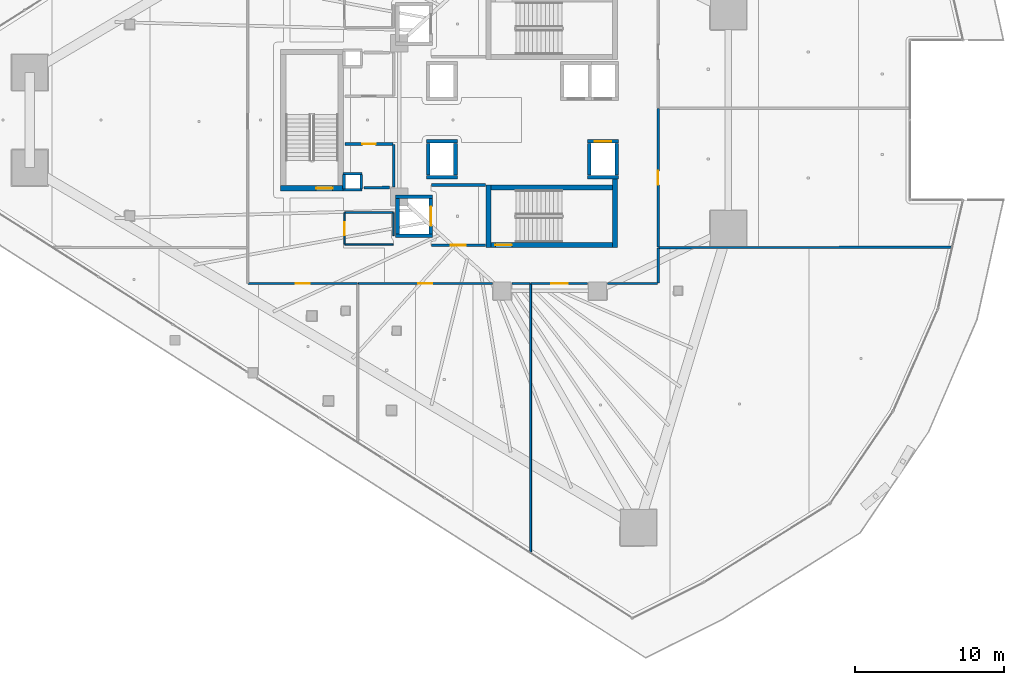
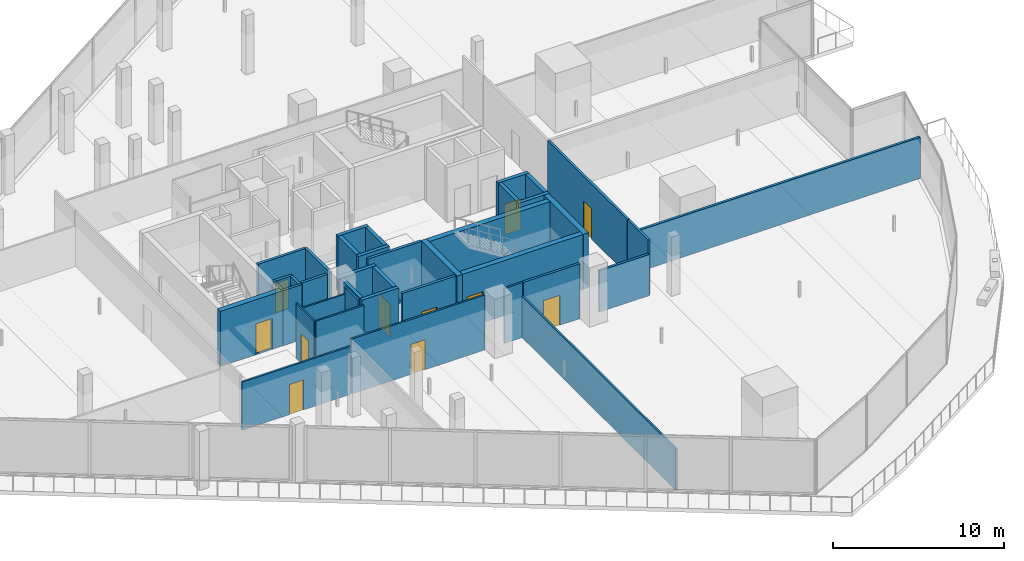
# One storey, part 28 of 44: 39 walls, 11 doors, 11 openings.
"""IFC4 building model written with IfcOpenShell, lengths in metres."""

from ifc_helpers import new_model, si_unit, direction, frame, frame_2d, origin, place, context, subcontext, project, spatial, rectangle, extrude, material, layer, layer_set, type_object, element, fill, save


model = new_model("IFC4")

# Units and contexts
model_context = context("Model", 3, precision=1e-05, world=origin(), true_north=direction((0.0, 1.0)))
body_context = subcontext(model_context, "Body", "Model", "MODEL_VIEW")
ifc_project = project(units=[si_unit("LENGTHUNIT", "METRE"), si_unit("AREAUNIT", "SQUARE_METRE"), si_unit("VOLUMEUNIT", "CUBIC_METRE"), si_unit("PLANEANGLEUNIT", "RADIAN"), si_unit("MASSUNIT", "GRAM", prefix="KILO")], contexts=[model_context])

# Site, building, storey
site_placement = place(None, origin())
site = spatial("IfcSite", under=ifc_project, at=site_placement, CompositionType="ELEMENT")
building_placement = place(site_placement, origin())
building = spatial("IfcBuilding", under=site, at=building_placement, Name="Qorvath Tower", CompositionType="ELEMENT")
storey_placement = place(building_placement, frame((0.0, 0.0, 40.800048828125)))
storey = spatial("IfcBuildingStorey", under=building, at=storey_placement, Name="L08", CompositionType="ELEMENT", Elevation=40.800048828125)

# Walls
ifc_material_1 = material(Name="Gypsum shaftliner on steel studs", Category="steel")
ifc_layer_1 = layer(ifc_material_1, 0.179931640625)
ifc_layer_set_1 = layer_set([ifc_layer_1], Name="FW-LOBBY")
wall_type_1 = type_object("IfcWallType", Name="FW-LOBBY", PredefinedType="PARTITIONING", material=ifc_layer_set_1)
for number, where, z_axis, x_axis, name in (
    (1, (-32.989990234375, -4.675048828125, 0.0), (0.0, 0.0, 1.0), (-1.0, 0.0, 0.0), "MEP Riser Shaft Enclosure Wall S-L08-S"),
    (2, (-34.260009765625, -3.594970703125, 0.0), (0.0, 0.0, 1.0), (1.0, 0.0, 0.0), "MEP Riser Shaft Enclosure Wall S-L08-N"),
):
    element("IfcWall", number, at=place(storey_placement, frame(where, z_axis=z_axis, x_axis=x_axis)), inside=storey, type_object=wall_type_1, Name=name, PredefinedType="PARTITIONING", context=body_context, shape_type="SweptSolid", body=[
        extrude(rectangle(XDim=1.27001953125, YDim=0.179931640625, at=frame_2d((0.635009765625, 0.0))), origin(), (0.0, 0.0, 1.0), 3.919921875),
    ])
for number, where, z_axis, x_axis, name in (
    (3, (-34.205078125, -4.610107421875, 0.0), (0.0, 0.0, 1.0), (0.0, 1.0, 0.0), "MEP Riser Shaft Enclosure Wall S-L08-W"),
    (4, (-33.044921875, -3.659912109375, 0.0), (0.0, 0.0, 1.0), (0.0, -1.0, 0.0), "MEP Riser Shaft Enclosure Wall S-L08-E"),
):
    element("IfcWall", number, at=place(storey_placement, frame(where, z_axis=z_axis, x_axis=x_axis)), inside=storey, type_object=wall_type_1, Name=name, PredefinedType="PARTITIONING", context=body_context, shape_type="SweptSolid", body=[
        extrude(rectangle(XDim=0.9501953125, YDim=0.179931640625, at=frame_2d((0.47509765625, 0.0))), origin(), (0.0, 0.0, 1.0), 3.919921875),
    ])

# Wall, opening, door
wall_1_placement = place(storey_placement, frame((-28.35498046875, -8.39990234375, 0.0), z_axis=(0.0, 0.0, 1.0), x_axis=(1.0, 0.0, 0.0)))
wall_1 = element("IfcWall", 5, at=wall_1_placement, inside=storey, type_object=wall_type_1, Name="Interior Partition IW-T1-L08-003", PredefinedType="PARTITIONING", context=body_context, shape_type="SweptSolid", body=[
    extrude(rectangle(XDim=3.6220703125, YDim=0.179931640625, at=frame_2d((1.81103515625, 0.0))), origin(), (0.0, 0.0, 1.0), 3.919921875),
])
opening_1_placement = place(wall_1_placement, frame((1.31103515625, 0.0, 0.0)))
opening_1 = element("IfcOpeningElement", 6, at=opening_1_placement, cuts=wall_1, Name="Opening D-T1-L08-13", PredefinedType="OPENING", context=body_context, shape_type="SweptSolid", body=[
    extrude(rectangle(XDim=1.0, YDim=2.14990234375, at=frame_2d((0.5, 1.074951171875))), frame((0.0, 0.10009765625, 0.0), z_axis=(0.0, -1.0, 0.0), x_axis=(1.0, 0.0, 0.0)), (0.0, 0.0, 1.0), 0.199951171875),
])
ifc_material_2 = material(Name="Painted galvanised hollow metal", Category="steel")
door_type_1 = type_object("IfcDoorType", Name="FD-60", OperationType="NOTDEFINED", PredefinedType="DOOR", material=ifc_material_2)
door_1_placement = place(opening_1_placement, origin())
door_1 = element("IfcDoor", 7, at=door_1_placement, inside=storey, type_object=door_type_1, Name="Lobby Fire Service Elevator South Door D-T1-L08-13", OperationType="SINGLE_SWING_LEFT", OverallHeight=2.14990234375, OverallWidth=1.0, PredefinedType="DOOR", context=body_context, shape_type="SweptSolid", body=[
    extrude(rectangle(XDim=1.0, YDim=2.14990234375, at=frame_2d((0.5, 1.074951171875))), frame((0.0, 0.02490234375, 0.0), z_axis=(0.0, -1.0, 0.0), x_axis=(1.0, 0.0, 0.0)), (0.0, 0.0, 1.0), 0.050048828125),
])
fill(opening_1, door_1)

# Walls
wall_2_placement = place(storey_placement, frame((-24.73291015625, -4.35009765625, 0.0), z_axis=(0.0, 0.0, 1.0), x_axis=(-1.0, 0.0, 0.0)))
element("IfcWall", 8, at=wall_2_placement, inside=storey, type_object=wall_type_1, Name="Interior Partition IW-T1-L08-004", PredefinedType="PARTITIONING", context=body_context, shape_type="SweptSolid", body=[
    extrude(rectangle(XDim=3.6220703125, YDim=0.179931640625, at=frame_2d((1.81103515625, 0.0))), origin(), (0.0, 0.0, 1.0), 3.919921875),
])
wall_3_placement = place(storey_placement, frame((-32.8798828125, -4.5380859375, 0.0), z_axis=(0.0, 0.0, 1.0), x_axis=(0.9999584918, 0.009111239105, 0.0)))
element("IfcWall", 9, at=wall_3_placement, inside=storey, type_object=wall_type_1, Name="Interior Partition IW-T1-L08-016", PredefinedType="PARTITIONING", context=body_context, shape_type="SweptSolid", body=[
    extrude(rectangle(XDim=1.71484375, YDim=0.179931640625, at=frame_2d((0.857421875, 0.0))), origin(), (0.0, 0.0, 1.0), 3.919921875),
])
wall_4_placement = place(storey_placement, frame((-30.8798828125, -4.485107421875, 0.0), z_axis=(0.0, 0.0, 1.0), x_axis=(0.0, 1.0, 0.0)))
element("IfcWall", 10, at=wall_4_placement, inside=storey, type_object=wall_type_1, Name="Interior Partition IW-T1-L08-017", PredefinedType="PARTITIONING", context=body_context, shape_type="SweptSolid", body=[
    extrude(rectangle(XDim=2.860107421875, YDim=0.179931640625, at=frame_2d((1.43017578125, 0.0))), origin(), (0.0, 0.0, 1.0), 3.919921875),
])

# Wall, opening, door
wall_5_placement = place(storey_placement, frame((-30.90478515625, -1.60009765625, 0.0), z_axis=(0.0, 0.0, 1.0), x_axis=(-1.0, 0.0, 0.0)))
wall_5 = element("IfcWall", 11, at=wall_5_placement, inside=storey, type_object=wall_type_1, Name="Interior Partition IW-T1-L08-018", PredefinedType="PARTITIONING", context=body_context, shape_type="SweptSolid", body=[
    extrude(rectangle(XDim=3.25, YDim=0.179931640625, at=frame_2d((1.625, 0.0))), origin(), (0.0, 0.0, 1.0), 3.919921875),
])
opening_2_placement = place(wall_5_placement, frame((1.18505859375, 0.0, 0.0)))
opening_2 = element("IfcOpeningElement", 12, at=opening_2_placement, cuts=wall_5, Name="Opening D-T1-L08-04", PredefinedType="OPENING", context=body_context, shape_type="SweptSolid", body=[
    extrude(rectangle(XDim=0.8798828125, YDim=2.10009765625, at=frame_2d((0.43994140625, 1.050048828125))), frame((0.0, 0.10009765625, 0.0), z_axis=(0.0, -1.0, 0.0), x_axis=(1.0, 0.0, 0.0)), (0.0, 0.0, 1.0), 0.199951171875),
])
ifc_material_3 = material(Name="Painted galvanised hollow metal", Category="steel")
door_type_2 = type_object("IfcDoorType", Name="FD-60N", OperationType="NOTDEFINED", PredefinedType="DOOR", material=ifc_material_3)
door_2_placement = place(opening_2_placement, origin())
door_2 = element("IfcDoor", 13, at=door_2_placement, inside=storey, type_object=door_type_2, Name="Core housekeeping store L08 Door D-T1-L08-04", OperationType="SINGLE_SWING_RIGHT", OverallHeight=2.10009765625, OverallWidth=0.8798828125, PredefinedType="DOOR", context=body_context, shape_type="SweptSolid", body=[
    extrude(rectangle(XDim=0.8798828125, YDim=2.10009765625, at=frame_2d((0.43994140625, 1.050048828125))), frame((0.0, 0.02490234375, 0.0), z_axis=(0.0, -1.0, 0.0), x_axis=(1.0, 0.0, 0.0)), (0.0, 0.0, 1.0), 0.050048828125),
])
fill(opening_2, door_2)

# Walls
ifc_material_4 = material(Name="Double acoustic gypsum board on steel studs", Category="steel")
ifc_layer_2 = layer(ifc_material_4, 0.159912109375)
ifc_layer_set_2 = layer_set([ifc_layer_2], Name="IW-ACOUSTIC-160")
wall_type_2 = type_object("IfcWallType", Name="IW-ACOUSTIC-160", PredefinedType="PARTITIONING", material=ifc_layer_set_2)
wall_6_placement = place(storey_placement, frame((6.501953125, -8.53466796875, 0.0), z_axis=(0.0, 0.0, 1.0), x_axis=(-0.999999692694, -0.000783971885, 0.0)))
element("IfcWall", 14, at=wall_6_placement, inside=storey, type_object=wall_type_2, Name="Interior Partition IW-T1-L08-032", PredefinedType="PARTITIONING", context=body_context, shape_type="SweptSolid", body=[
    extrude(rectangle(XDim=19.619140625, YDim=0.159912109375, at=frame_2d((9.8095703125, 0.0))), origin(), (0.0, 0.0, 1.0), 2.956787109375),
])
wall_7_placement = place(storey_placement, frame((-13.14208984375, -8.574951171875, 0.0), z_axis=(0.0, 0.0, 1.0), x_axis=(0.0, -1.0, 0.0)))
element("IfcWall", 15, at=wall_7_placement, inside=storey, type_object=wall_type_2, Name="Interior Partition IW-T1-L08-033", PredefinedType="PARTITIONING", context=body_context, shape_type="SweptSolid", body=[
    extrude(rectangle(XDim=2.358154296875, YDim=0.159912109375, at=frame_2d((1.17919921875, 0.0))), origin(), (0.0, 0.0, 1.0), 3.919921875),
])
wall_8_placement = place(storey_placement, frame((-13.1669921875, -10.9580078125, 0.0), z_axis=(0.0, 0.0, 1.0), x_axis=(-1.0, 0.0, 0.0)))
element("IfcWall", 16, at=wall_8_placement, inside=storey, type_object=wall_type_2, Name="Interior Partition IW-T1-L08-034", PredefinedType="PARTITIONING", context=body_context, shape_type="SweptSolid", body=[
    extrude(rectangle(XDim=3.367919921875, YDim=0.159912109375, at=frame_2d((1.68408203125, 0.0))), origin(), (0.0, 0.0, 1.0), 2.956787109375),
])

# Wall, opening, door
wall_9_placement = place(storey_placement, frame((-17.864990234375, -10.9580078125, 0.0), z_axis=(0.0, 0.0, 1.0), x_axis=(-1.0, 0.0, 0.0)))
wall_9 = element("IfcWall", 17, at=wall_9_placement, inside=storey, type_object=wall_type_2, Name="Interior Partition IW-T1-L08-035", PredefinedType="PARTITIONING", context=body_context, shape_type="SweptSolid", body=[
    extrude(rectangle(XDim=3.79736328125, YDim=0.159912109375, at=frame_2d((1.898681640625, 0.0))), origin(), (0.0, 0.0, 1.0), 3.919921875),
])
opening_3_placement = place(wall_9_placement, frame((1.3486328125, 0.0, 0.0)))
opening_3 = element("IfcOpeningElement", 18, at=opening_3_placement, cuts=wall_9, Name="Opening D-T1-L08-08", PredefinedType="OPENING", context=body_context, shape_type="SweptSolid", body=[
    extrude(rectangle(XDim=1.10009765625, YDim=2.14990234375, at=frame_2d((0.550048828125, 1.074951171875))), frame((0.0, 0.08984375, 0.0), z_axis=(0.0, -1.0, 0.0), x_axis=(1.0, 0.0, 0.0)), (0.0, 0.0, 1.0), 0.179931640625),
])
ifc_material_5 = material(Name="Anodised aluminium acoustic framed glass", Category="aluminium")
door_type_3 = type_object("IfcDoorType", Name="D-03", OperationType="NOTDEFINED", PredefinedType="DOOR", material=ifc_material_5)
door_3_placement = place(opening_3_placement, origin())
door_3 = element("IfcDoor", 19, at=door_3_placement, inside=storey, type_object=door_type_3, Name="L08-04 Client Services Office Door D-T1-L08-08", OperationType="SINGLE_SWING_RIGHT", OverallHeight=2.14990234375, OverallWidth=1.10009765625, PredefinedType="DOOR", context=body_context, shape_type="SweptSolid", body=[
    extrude(rectangle(XDim=1.10009765625, YDim=2.14990234375, at=frame_2d((0.550048828125, 1.074951171875))), frame((0.0, 0.02490234375, 0.0), z_axis=(0.0, -1.0, 0.0), x_axis=(1.0, 0.0, 0.0)), (0.0, 0.0, 1.0), 0.050048828125),
])
fill(opening_3, door_3)

wall_10_placement = place(storey_placement, frame((-13.14208984375, 0.766357421875, 0.0), z_axis=(0.0, 0.0, 1.0), x_axis=(0.0, -1.0, 0.0)))
wall_10 = element("IfcWall", 20, at=wall_10_placement, inside=storey, type_object=wall_type_2, Name="Interior Partition IW-T1-L08-037", PredefinedType="PARTITIONING", context=body_context, shape_type="SweptSolid", body=[
    extrude(rectangle(XDim=9.283447265625, YDim=0.159912109375, at=frame_2d((4.6416015625, 0.0))), origin(), (0.0, 0.0, 1.0), 3.919921875),
])
opening_4_placement = place(wall_10_placement, frame((4.166748046875, 0.0, 0.0)))
opening_4 = element("IfcOpeningElement", 21, at=opening_4_placement, cuts=wall_10, Name="Opening D-T1-L08-09", PredefinedType="OPENING", context=body_context, shape_type="SweptSolid", body=[
    extrude(rectangle(XDim=0.949951171875, YDim=2.14990234375, at=frame_2d((0.47509765625, 1.074951171875))), frame((0.0, 0.08984375, 0.0), z_axis=(0.0, -1.0, 0.0), x_axis=(1.0, 0.0, 0.0)), (0.0, 0.0, 1.0), 0.179931640625),
])
ifc_material_6 = material(Name="Solid-core American white oak veneer", Category="wood")
door_type_4 = type_object("IfcDoorType", Name="D-01", OperationType="NOTDEFINED", PredefinedType="DOOR", material=ifc_material_6)
door_4_placement = place(opening_4_placement, origin())
door_4 = element("IfcDoor", 22, at=door_4_placement, inside=storey, type_object=door_type_4, Name="L08-05 Staff Wellness Studio Door D-T1-L08-09", OperationType="SINGLE_SWING_LEFT", OverallHeight=2.14990234375, OverallWidth=0.949951171875, PredefinedType="DOOR", context=body_context, shape_type="SweptSolid", body=[
    extrude(rectangle(XDim=0.949951171875, YDim=2.14990234375, at=frame_2d((0.47509765625, 1.074951171875))), frame((0.0, 0.02490234375, 0.0), z_axis=(0.0, -1.0, 0.0), x_axis=(1.0, 0.0, 0.0)), (0.0, 0.0, 1.0), 0.050048828125),
])
fill(opening_4, door_4)

ifc_material_7 = material(Name="Gypsum board on metal studs with mineral wool", Category="gypsum")
ifc_layer_3 = layer(ifc_material_7, 0.125)
ifc_layer_set_3 = layer_set([ifc_layer_3], Name="IW-PART-125")
wall_type_3 = type_object("IfcWallType", Name="IW-PART-125", PredefinedType="PARTITIONING", material=ifc_layer_set_3)
wall_11_placement = place(storey_placement, frame((-33.3076171875, -10.9580078125, 0.0), z_axis=(0.0, 0.0, 1.0), x_axis=(-1.0, 0.0, 0.0)))
wall_11 = element("IfcWall", 23, at=wall_11_placement, inside=storey, type_object=wall_type_3, Name="Interior Partition IW-T1-L08-026", PredefinedType="PARTITIONING", context=body_context, shape_type="SweptSolid", body=[
    extrude(rectangle(XDim=7.325439453125, YDim=0.125, at=frame_2d((3.66259765625, 0.0))), origin(), (0.0, 0.0, 1.0), 3.432861328125),
])
opening_5_placement = place(wall_11_placement, frame((3.187744140625, 0.0, 0.0)))
opening_5 = element("IfcOpeningElement", 24, at=opening_5_placement, cuts=wall_11, Name="Opening D-T1-L08-06", PredefinedType="OPENING", context=body_context, shape_type="SweptSolid", body=[
    extrude(rectangle(XDim=0.949951171875, YDim=2.14990234375, at=frame_2d((0.47509765625, 1.074951171875))), frame((0.0, 0.072509765625, 0.0), z_axis=(0.0, -1.0, 0.0), x_axis=(1.0, 0.0, 0.0)), (0.0, 0.0, 1.0), 0.14501953125),
])
door_5_placement = place(opening_5_placement, origin())
door_5 = element("IfcDoor", 25, at=door_5_placement, inside=storey, type_object=door_type_4, Name="L08-02 Focus Collaboration Pod Door D-T1-L08-06", OperationType="SINGLE_SWING_RIGHT", OverallHeight=2.14990234375, OverallWidth=0.949951171875, PredefinedType="DOOR", context=body_context, shape_type="SweptSolid", body=[
    extrude(rectangle(XDim=0.949951171875, YDim=2.14990234375, at=frame_2d((0.47509765625, 1.074951171875))), frame((0.0, 0.02490234375, 0.0), z_axis=(0.0, -1.0, 0.0), x_axis=(1.0, 0.0, 0.0)), (0.0, 0.0, 1.0), 0.050048828125),
])
fill(opening_5, door_5)

wall_12_placement = place(storey_placement, frame((-24.264892578125, -10.9580078125, 0.0), z_axis=(0.0, 0.0, 1.0), x_axis=(-1.0, 0.0, 0.0)))
wall_12 = element("IfcWall", 26, at=wall_12_placement, inside=storey, type_object=wall_type_3, Name="Interior Partition IW-T1-L08-029", PredefinedType="PARTITIONING", context=body_context, shape_type="SweptSolid", body=[
    extrude(rectangle(XDim=8.98486328125, YDim=0.125, at=frame_2d((4.492431640625, 0.0))), origin(), (0.0, 0.0, 1.0), 3.919921875),
])
opening_6_placement = place(wall_12_placement, frame((4.017333984375, 0.0, 0.0)))
opening_6 = element("IfcOpeningElement", 27, at=opening_6_placement, cuts=wall_12, Name="Opening D-T1-L08-07", PredefinedType="OPENING", context=body_context, shape_type="SweptSolid", body=[
    extrude(rectangle(XDim=0.949951171875, YDim=2.14990234375, at=frame_2d((0.47509765625, 1.074951171875))), frame((0.0, 0.072509765625, 0.0), z_axis=(0.0, -1.0, 0.0), x_axis=(1.0, 0.0, 0.0)), (0.0, 0.0, 1.0), 0.14501953125),
])
door_6_placement = place(opening_6_placement, origin())
door_6 = element("IfcDoor", 28, at=door_6_placement, inside=storey, type_object=door_type_4, Name="L08-03 Staff Refreshment Pantry and Coffee Bar Door D-T1-L08-07", OperationType="SINGLE_SWING_LEFT", OverallHeight=2.14990234375, OverallWidth=0.949951171875, PredefinedType="DOOR", context=body_context, shape_type="SweptSolid", body=[
    extrude(rectangle(XDim=0.949951171875, YDim=2.14990234375, at=frame_2d((0.47509765625, 1.074951171875))), frame((0.0, 0.02490234375, 0.0), z_axis=(0.0, -1.0, 0.0), x_axis=(1.0, 0.0, 0.0)), (0.0, 0.0, 1.0), 0.050048828125),
])
fill(opening_6, door_6)

# Walls
wall_13_placement = place(storey_placement, frame((-21.6953125, -28.9619140625, 0.0), z_axis=(0.0, 0.0, 1.0), x_axis=(0.0, 1.0, 0.0)))
element("IfcWall", 29, at=wall_13_placement, inside=storey, type_object=wall_type_3, Name="Interior Partition IW-T1-L08-030", PredefinedType="PARTITIONING", context=body_context, shape_type="SweptSolid", body=[
    extrude(rectangle(XDim=17.97900390625, YDim=0.125, at=frame_2d((8.989501953125, 0.0))), origin(), (0.0, 0.0, 1.0), 2.956787109375),
])
wall_14_placement = place(storey_placement, frame((-21.72021484375, -10.9580078125, 0.0), z_axis=(0.0, 0.0, 1.0), x_axis=(-1.0, 0.0, 0.0)))
element("IfcWall", 30, at=wall_14_placement, inside=storey, type_object=wall_type_3, Name="Interior Partition IW-T1-L08-031", PredefinedType="PARTITIONING", context=body_context, shape_type="SweptSolid", body=[
    extrude(rectangle(XDim=1.21484375, YDim=0.125, at=frame_2d((0.607421875, 0.0))), origin(), (0.0, 0.0, 1.0), 3.919921875),
])

# Wall, opening, door
ifc_material_8 = material(Name="Moisture-resistant cement board on metal studs", Category="gypsum")
ifc_layer_4 = layer(ifc_material_8, 0.110107421875)
ifc_layer_set_4 = layer_set([ifc_layer_4], Name="IW-WC-110")
wall_type_4 = type_object("IfcWallType", Name="IW-WC-110", PredefinedType="PARTITIONING", material=ifc_layer_set_4)
wall_15_placement = place(storey_placement, frame((-34.179931640625, -6.22509765625, 0.0), z_axis=(0.0, 0.0, 1.0), x_axis=(0.0, -1.0, 0.0)))
wall_15 = element("IfcWall", 31, at=wall_15_placement, inside=storey, type_object=wall_type_4, Name="Interior Partition IW-T1-L08-009", PredefinedType="PARTITIONING", context=body_context, shape_type="SweptSolid", body=[
    extrude(rectangle(XDim=2.10009765625, YDim=0.110107421875, at=frame_2d((1.050048828125, 0.0))), origin(), (0.0, 0.0, 1.0), 3.919921875),
])
opening_7_placement = place(wall_15_placement, frame((0.610107421875, 0.0, 0.0)))
opening_7 = element("IfcOpeningElement", 32, at=opening_7_placement, cuts=wall_15, Name="Opening D-T1-L08-02", PredefinedType="OPENING", context=body_context, shape_type="SweptSolid", body=[
    extrude(rectangle(XDim=0.8798828125, YDim=2.10009765625, at=frame_2d((0.43994140625, 1.050048828125))), frame((0.0, 0.06494140625, 0.0), z_axis=(0.0, -1.0, 0.0), x_axis=(1.0, 0.0, 0.0)), (0.0, 0.0, 1.0), 0.130126953125),
])
ifc_material_9 = material(Name="Solid-core oak with acoustic drop seal", Category="wood")
door_type_5 = type_object("IfcDoorType", Name="D-02", OperationType="NOTDEFINED", PredefinedType="DOOR", material=ifc_material_9)
door_7_placement = place(opening_7_placement, origin())
door_7 = element("IfcDoor", 33, at=door_7_placement, inside=storey, type_object=door_type_5, Name="Accessible WC South L08 Door D-T1-L08-02", OperationType="SINGLE_SWING_RIGHT", OverallHeight=2.10009765625, OverallWidth=0.8798828125, PredefinedType="DOOR", context=body_context, shape_type="SweptSolid", body=[
    extrude(rectangle(XDim=0.8798828125, YDim=2.10009765625, at=frame_2d((0.43994140625, 1.050048828125))), frame((0.0, 0.02490234375, 0.0), z_axis=(0.0, -1.0, 0.0), x_axis=(1.0, 0.0, 0.0)), (0.0, 0.0, 1.0), 0.050048828125),
])
fill(opening_7, door_7)

# Walls
wall_16_placement = place(storey_placement, frame((-34.15478515625, -8.35009765625, 0.0), z_axis=(0.0, 0.0, 1.0), x_axis=(1.0, 0.0, 0.0)))
element("IfcWall", 34, at=wall_16_placement, inside=storey, type_object=wall_type_4, Name="Interior Partition IW-T1-L08-010", PredefinedType="PARTITIONING", context=body_context, shape_type="SweptSolid", body=[
    extrude(rectangle(XDim=3.25, YDim=0.110107421875, at=frame_2d((1.625, 0.0))), origin(), (0.0, 0.0, 1.0), 3.919921875),
])
wall_17_placement = place(storey_placement, frame((-30.8798828125, -7.742919921875, 0.0), z_axis=(0.0, 0.0, 1.0), x_axis=(0.0, 1.0, 0.0)))
element("IfcWall", 35, at=wall_17_placement, inside=storey, type_object=wall_type_4, Name="Interior Partition IW-T1-L08-011", PredefinedType="PARTITIONING", context=body_context, shape_type="SweptSolid", body=[
    extrude(rectangle(XDim=1.517822265625, YDim=0.110107421875, at=frame_2d((0.7587890625, 0.0))), origin(), (0.0, 0.0, 1.0), 3.919921875),
])
wall_18_placement = place(storey_placement, frame((-30.90478515625, -6.199951171875, 0.0), z_axis=(0.0, 0.0, 1.0), x_axis=(-1.0, 0.0, 0.0)))
element("IfcWall", 36, at=wall_18_placement, inside=storey, type_object=wall_type_4, Name="Interior Partition IW-T1-L08-012", PredefinedType="PARTITIONING", context=body_context, shape_type="SweptSolid", body=[
    extrude(rectangle(XDim=3.25, YDim=0.110107421875, at=frame_2d((1.625, 0.0))), origin(), (0.0, 0.0, 1.0), 3.432861328125),
])
ifc_material_10 = material(Name="Concrete C60/75", Category="concrete")
ifc_layer_5 = layer(ifc_material_10, 0.260009765625)
ifc_layer_set_5 = layer_set([ifc_layer_5], Name="SW-SHAFT")
wall_type_5 = type_object("IfcWallType", Name="SW-SHAFT", PredefinedType="SHEAR", material=ifc_layer_set_5)
for number, where, z_axis, x_axis, name in (
    (37, (-28.260009765625, -7.77001953125, 0.0), (0.0, 0.0, 1.0), (-1.0, 0.0, 0.0), "Hoistway Wall FSAE-2 L08 S"),
    (38, (-30.739990234375, -5.1298828125, 0.0), (0.0, 0.0, 1.0), (1.0, 0.0, 0.0), "Hoistway Wall FSAE-2 L08 N"),
):
    element("IfcWall", number, at=place(storey_placement, frame(where, z_axis=z_axis, x_axis=x_axis)), inside=storey, type_object=wall_type_5, Name=name, PredefinedType="SHEAR", context=body_context, shape_type="SweptSolid", body=[
        extrude(rectangle(XDim=2.47998046875, YDim=0.239990234375, at=frame_2d((1.239990234375, 0.0))), origin(), (0.0, 0.0, 1.0), 3.919921875),
    ])
wall_19_placement = place(storey_placement, frame((-30.6201171875, -7.637939453125, 0.0), z_axis=(0.0, 0.0, 1.0), x_axis=(0.0, 1.0, 0.0)))
element("IfcWall", 39, at=wall_19_placement, inside=storey, type_object=wall_type_5, Name="Hoistway Wall FSAE-2 L08 W", PredefinedType="SHEAR", context=body_context, shape_type="SweptSolid", body=[
    extrude(rectangle(XDim=2.3759765625, YDim=0.239990234375, at=frame_2d((1.18798828125, 0.0))), origin(), (0.0, 0.0, 1.0), 3.919921875),
])

# Wall, opening, door
wall_20_placement = place(storey_placement, frame((-28.3798828125, -5.261962890625, 0.0), z_axis=(0.0, 0.0, 1.0), x_axis=(0.0, -1.0, 0.0)))
wall_20 = element("IfcWall", 40, at=wall_20_placement, inside=storey, type_object=wall_type_5, Name="Hoistway Wall FSAE-2 L08 E", PredefinedType="SHEAR", context=body_context, shape_type="SweptSolid", body=[
    extrude(rectangle(XDim=2.3759765625, YDim=0.239990234375, at=frame_2d((1.18798828125, 0.0))), origin(), (0.0, 0.0, 1.0), 3.919921875),
])
opening_8_placement = place(wall_20_placement, frame((0.5380859375, 0.0, 0.0)))
opening_8 = element("IfcOpeningElement", 41, at=opening_8_placement, cuts=wall_20, Name="Opening LD-FSAE-2-L08", PredefinedType="OPENING", context=body_context, shape_type="SweptSolid", body=[
    extrude(rectangle(XDim=1.300048828125, YDim=2.300048828125, at=frame_2d((0.64990234375, 1.14990234375))), frame((0.0, 0.1298828125, 0.0), z_axis=(0.0, -1.0, 0.0), x_axis=(1.0, 0.0, 0.0)), (0.0, 0.0, 1.0), 0.260009765625),
])
ifc_material_11 = material(Name="Brushed stainless steel AISI 316", Category="steel")
door_type_6 = type_object("IfcDoorType", Name="LD-02", OperationType="NOTDEFINED", PredefinedType="DOOR", material=ifc_material_11)
door_8_placement = place(opening_8_placement, origin())
door_8 = element("IfcDoor", 42, at=door_8_placement, inside=storey, type_object=door_type_6, Name="Elevator Landing Sliding Door LD-FSAE-2-L08", OperationType="DOUBLE_DOOR_SLIDING", OverallHeight=2.300048828125, OverallWidth=1.300048828125, PredefinedType="DOOR", context=body_context, shape_type="SweptSolid", body=[
    extrude(rectangle(XDim=1.300048828125, YDim=2.300048828125, at=frame_2d((0.64990234375, 1.14990234375))), frame((0.0, 0.02490234375, 0.0), z_axis=(0.0, -1.0, 0.0), x_axis=(1.0, 0.0, 0.0)), (0.0, 0.0, 1.0), 0.050048828125),
])
fill(opening_8, door_8)

# Walls
for number, where, z_axis, x_axis, name in (
    (43, (-26.610107421875, -3.820068359375, 0.0), (0.0, 0.0, 1.0), (-1.0, 0.0, 0.0), "Hoistway Wall PS-2 L08 S"),
    (44, (-28.68994140625, -1.429931640625, 0.0), (0.0, 0.0, 1.0), (1.0, 0.0, 0.0), "Hoistway Wall PS-2 L08 N"),
):
    element("IfcWall", number, at=place(storey_placement, frame(where, z_axis=z_axis, x_axis=x_axis)), inside=storey, type_object=wall_type_5, Name=name, PredefinedType="SHEAR", context=body_context, shape_type="SweptSolid", body=[
        extrude(rectangle(XDim=2.079833984375, YDim=0.239990234375, at=frame_2d((1.0400390625, 0.0))), origin(), (0.0, 0.0, 1.0), 3.919921875),
    ])
for number, where, z_axis, x_axis, name in (
    (45, (-28.570068359375, -3.68798828125, 0.0), (0.0, 0.0, 1.0), (0.0, 1.0, 0.0), "Hoistway Wall PS-2 L08 W"),
    (46, (-26.72998046875, -1.56201171875, 0.0), (0.0, 0.0, 1.0), (0.0, -1.0, 0.0), "Hoistway Wall PS-2 L08 E"),
):
    element("IfcWall", number, at=place(storey_placement, frame(where, z_axis=z_axis, x_axis=x_axis)), inside=storey, type_object=wall_type_5, Name=name, PredefinedType="SHEAR", context=body_context, shape_type="SweptSolid", body=[
        extrude(rectangle(XDim=2.1259765625, YDim=0.239990234375, at=frame_2d((1.06298828125, 0.0))), origin(), (0.0, 0.0, 1.0), 3.919921875),
    ])
wall_21_placement = place(storey_placement, frame((-15.81005859375, -3.820068359375, 0.0), z_axis=(0.0, 0.0, 1.0), x_axis=(-1.0, 0.0, 0.0)))
element("IfcWall", 47, at=wall_21_placement, inside=storey, type_object=wall_type_5, Name="Hoistway Wall PL-2 L08 S", PredefinedType="SHEAR", context=body_context, shape_type="SweptSolid", body=[
    extrude(rectangle(XDim=2.079833984375, YDim=0.239990234375, at=frame_2d((1.0400390625, 0.0))), origin(), (0.0, 0.0, 1.0), 3.919921875),
])

# Wall, opening, door
wall_22_placement = place(storey_placement, frame((-17.889892578125, -1.429931640625, 0.0), z_axis=(0.0, 0.0, 1.0), x_axis=(1.0, 0.0, 0.0)))
wall_22 = element("IfcWall", 48, at=wall_22_placement, inside=storey, type_object=wall_type_5, Name="Hoistway Wall PL-2 L08 N", PredefinedType="SHEAR", context=body_context, shape_type="SweptSolid", body=[
    extrude(rectangle(XDim=2.079833984375, YDim=0.239990234375, at=frame_2d((1.0400390625, 0.0))), origin(), (0.0, 0.0, 1.0), 3.919921875),
])
opening_9_placement = place(wall_22_placement, frame((0.48974609375, 0.0, 0.0)))
opening_9 = element("IfcOpeningElement", 49, at=opening_9_placement, cuts=wall_22, Name="Opening LD-PL-2-L08", PredefinedType="OPENING", context=body_context, shape_type="SweptSolid", body=[
    extrude(rectangle(XDim=1.10009765625, YDim=2.199951171875, at=frame_2d((0.550048828125, 1.10009765625))), frame((0.0, 0.1298828125, 0.0), z_axis=(0.0, -1.0, 0.0), x_axis=(1.0, 0.0, 0.0)), (0.0, 0.0, 1.0), 0.260009765625),
])
ifc_material_12 = material(Name="Brushed stainless steel AISI 316", Category="steel")
door_type_7 = type_object("IfcDoorType", Name="LD-01", OperationType="NOTDEFINED", PredefinedType="DOOR", material=ifc_material_12)
door_9_placement = place(opening_9_placement, origin())
door_9 = element("IfcDoor", 50, at=door_9_placement, inside=storey, type_object=door_type_7, Name="Elevator Landing Sliding Door LD-PL-2-L08", OperationType="DOUBLE_DOOR_SLIDING", OverallHeight=2.199951171875, OverallWidth=1.10009765625, PredefinedType="DOOR", context=body_context, shape_type="SweptSolid", body=[
    extrude(rectangle(XDim=1.10009765625, YDim=2.199951171875, at=frame_2d((0.550048828125, 1.10009765625))), frame((0.0, 0.02490234375, 0.0), z_axis=(0.0, -1.0, 0.0), x_axis=(1.0, 0.0, 0.0)), (0.0, 0.0, 1.0), 0.050048828125),
])
fill(opening_9, door_9)

# Walls
for number, where, z_axis, x_axis, name in (
    (51, (-17.77001953125, -3.68798828125, 0.0), (0.0, 0.0, 1.0), (0.0, 1.0, 0.0), "Hoistway Wall PL-2 L08 W"),
    (52, (-15.929931640625, -1.56201171875, 0.0), (0.0, 0.0, 1.0), (0.0, -1.0, 0.0), "Hoistway Wall PL-2 L08 E"),
):
    element("IfcWall", number, at=place(storey_placement, frame(where, z_axis=z_axis, x_axis=x_axis)), inside=storey, type_object=wall_type_5, Name=name, PredefinedType="SHEAR", context=body_context, shape_type="SweptSolid", body=[
        extrude(rectangle(XDim=2.1259765625, YDim=0.239990234375, at=frame_2d((1.06298828125, 0.0))), origin(), (0.0, 0.0, 1.0), 3.919921875),
    ])
ifc_material_13 = material(Name="Concrete C60/75", Category="concrete")
ifc_layer_6 = layer(ifc_material_13, 0.35009765625)
ifc_layer_set_6 = layer_set([ifc_layer_6], Name="SW-STAIR")
wall_type_6 = type_object("IfcWallType", Name="SW-STAIR", PredefinedType="SHEAR", material=ifc_layer_set_6)
wall_23_placement = place(storey_placement, frame((-24.52490234375, -4.340087890625, 0.0), z_axis=(0.0, 0.0, 1.0), x_axis=(0.0, -1.0, 0.0)))
element("IfcWall", 53, at=wall_23_placement, inside=storey, type_object=wall_type_6, Name="Stair TS2 Shear Wall L08 NEAR", PredefinedType="SHEAR", context=body_context, shape_type="SweptSolid", body=[
    extrude(rectangle(XDim=4.2099609375, YDim=0.35009765625, at=frame_2d((2.10498046875, 0.0))), origin(), (0.0, 0.0, 1.0), 3.919921875),
])
wall_24_placement = place(storey_placement, frame((-16.02490234375, -8.550048828125, 0.0), z_axis=(0.0, 0.0, 1.0), x_axis=(0.0, 1.0, 0.0)))
element("IfcWall", 54, at=wall_24_placement, inside=storey, type_object=wall_type_6, Name="Stair TS2 Shear Wall L08 FAR", PredefinedType="SHEAR", context=body_context, shape_type="SweptSolid", body=[
    extrude(rectangle(XDim=4.610107421875, YDim=0.35009765625, at=frame_2d((2.30517578125, 0.0))), origin(), (0.0, 0.0, 1.0), 3.919921875),
])

# Wall, opening, door
wall_25_placement = place(storey_placement, frame((-24.3349609375, -8.375, 0.0), z_axis=(0.0, 0.0, 1.0), x_axis=(1.0, 0.0, 0.0)))
wall_25 = element("IfcWall", 55, at=wall_25_placement, inside=storey, type_object=wall_type_6, Name="Stair TS2 Shear Wall L08 LEFT", PredefinedType="SHEAR", context=body_context, shape_type="SweptSolid", body=[
    extrude(rectangle(XDim=8.119873046875, YDim=0.35009765625, at=frame_2d((4.06005859375, 0.0))), origin(), (0.0, 0.0, 1.0), 3.919921875),
])
opening_10_placement = place(wall_25_placement, frame((0.280029296875, 0.0, 0.0)))
opening_10 = element("IfcOpeningElement", 56, at=opening_10_placement, cuts=wall_25, Name="Opening D-TS2-L08", PredefinedType="OPENING", context=body_context, shape_type="SweptSolid", body=[
    extrude(rectangle(XDim=1.10009765625, YDim=2.199951171875, at=frame_2d((0.550048828125, 1.10009765625))), frame((0.0, 0.18505859375, 0.0), z_axis=(0.0, -1.0, 0.0), x_axis=(1.0, 0.0, 0.0)), (0.0, 0.0, 1.0), 0.3701171875),
])
ifc_material_14 = material(Name="Painted galvanised hollow metal", Category="steel")
door_type_8 = type_object("IfcDoorType", Name="FD-90", OperationType="NOTDEFINED", PredefinedType="DOOR", material=ifc_material_14)
door_10_placement = place(opening_10_placement, origin())
door_10 = element("IfcDoor", 57, at=door_10_placement, inside=storey, type_object=door_type_8, Name="Stair TS2 Fire Door L08", OperationType="SINGLE_SWING_LEFT", OverallHeight=2.199951171875, OverallWidth=1.10009765625, PredefinedType="DOOR", context=body_context, shape_type="SweptSolid", body=[
    extrude(rectangle(XDim=1.10009765625, YDim=2.199951171875, at=frame_2d((0.550048828125, 1.10009765625))), frame((0.0, 0.02490234375, 0.0), z_axis=(0.0, -1.0, 0.0), x_axis=(1.0, 0.0, 0.0)), (0.0, 0.0, 1.0), 0.050048828125),
])
fill(opening_10, door_10)

# Wall
wall_26_placement = place(storey_placement, frame((-16.215087890625, -4.514892578125, 0.0), z_axis=(0.0, 0.0, 1.0), x_axis=(-1.0, 0.0, 0.0)))
element("IfcWall", 58, at=wall_26_placement, inside=storey, type_object=wall_type_6, Name="Stair TS2 Shear Wall L08 RIGHT", PredefinedType="SHEAR", context=body_context, shape_type="SweptSolid", body=[
    extrude(rectangle(XDim=8.119873046875, YDim=0.35009765625, at=frame_2d((4.06005859375, 0.0))), origin(), (0.0, 0.0, 1.0), 3.919921875),
])

# Wall, opening, door
wall_27_placement = place(storey_placement, frame((-38.4599609375, -4.574951171875, 0.0), z_axis=(0.0, 0.0, 1.0), x_axis=(1.0, 0.0, 0.0)))
wall_27 = element("IfcWall", 59, at=wall_27_placement, inside=storey, type_object=wall_type_6, Name="Stair TS3 Shear Wall L08 NEAR", PredefinedType="SHEAR", context=body_context, shape_type="SweptSolid", body=[
    extrude(rectangle(XDim=4.2099609375, YDim=0.35009765625, at=frame_2d((2.10498046875, 0.0))), origin(), (0.0, 0.0, 1.0), 3.919921875),
])
opening_11_placement = place(wall_27_placement, frame((2.389892578125, 0.0, 0.0)))
opening_11 = element("IfcOpeningElement", 60, at=opening_11_placement, cuts=wall_27, Name="Opening D-TS3-L08", PredefinedType="OPENING", context=body_context, shape_type="SweptSolid", body=[
    extrude(rectangle(XDim=1.10009765625, YDim=2.199951171875, at=frame_2d((0.550048828125, 1.10009765625))), frame((0.0, 0.18505859375, 0.0), z_axis=(0.0, -1.0, 0.0), x_axis=(1.0, 0.0, 0.0)), (0.0, 0.0, 1.0), 0.3701171875),
])
door_11_placement = place(opening_11_placement, origin())
door_11 = element("IfcDoor", 61, at=door_11_placement, inside=storey, type_object=door_type_8, Name="Stair TS3 Fire Door L08", OperationType="SINGLE_SWING_LEFT", OverallHeight=2.199951171875, OverallWidth=1.10009765625, PredefinedType="DOOR", context=body_context, shape_type="SweptSolid", body=[
    extrude(rectangle(XDim=1.10009765625, YDim=2.199951171875, at=frame_2d((0.550048828125, 1.10009765625))), frame((0.0, 0.02490234375, 0.0), z_axis=(0.0, -1.0, 0.0), x_axis=(1.0, 0.0, 0.0)), (0.0, 0.0, 1.0), 0.050048828125),
])
fill(opening_11, door_11)

save(model, "model.ifc")
